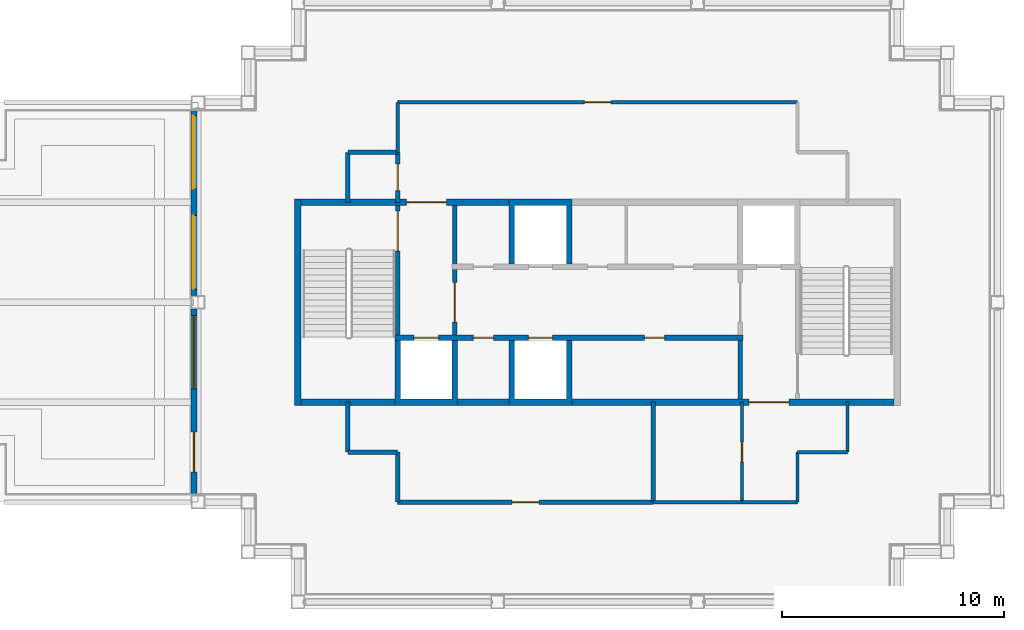
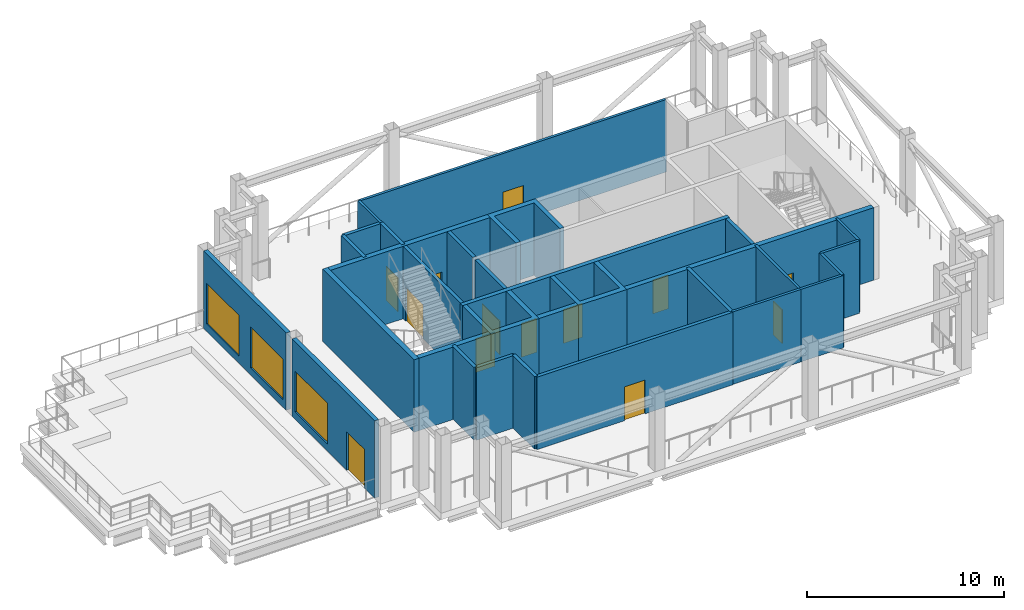
# One storey, part 2 of 9: 31 walls, 13 doors, 3 windows, 16 openings.
"""IFC4 building model written with IfcOpenShell, lengths in metres."""

from ifc_helpers import new_model, si_unit, direction, frame, frame_2d, origin, place, context, subcontext, project, spatial, polyline, rectangle, outline, extrude, material, layer, layer_set, type_object, element, fill, save


model = new_model("IFC4")

# Units and contexts
model_context = context("Model", 3, precision=1e-05, world=origin(), true_north=direction((0.0, 1.0)))
body_context = subcontext(model_context, "Body", "Model", "MODEL_VIEW")
ifc_project = project(units=[si_unit("LENGTHUNIT", "METRE"), si_unit("AREAUNIT", "SQUARE_METRE"), si_unit("VOLUMEUNIT", "CUBIC_METRE"), si_unit("PLANEANGLEUNIT", "RADIAN"), si_unit("MASSUNIT", "GRAM", prefix="KILO")], contexts=[model_context])

# Site, building, storey
site_placement = place(None, origin())
site = spatial("IfcSite", under=ifc_project, at=site_placement, CompositionType="ELEMENT")
building_placement = place(site_placement, origin())
building = spatial("IfcBuilding", under=site, at=building_placement, Name="Caravel Reach Hotel and Residences", CompositionType="ELEMENT")
storey_placement = place(building_placement, frame((0.0, 0.0, 278.60009765625)))
storey = spatial("IfcBuildingStorey", under=building, at=storey_placement, Name="L71", CompositionType="ELEMENT", Elevation=278.60009765625)

# Walls
ifc_material_1 = material(Name="Autoclaved aerated block wall")
ifc_layer_1 = layer(ifc_material_1, 0.199951171875)
ifc_layer_set_1 = layer_set([ifc_layer_1], Name="Compartment wall 200 mm EI 120")
wall_type_1 = type_object("IfcWallType", Name="Compartment wall 200 mm EI 120", PredefinedType="PARTITIONING", material=ifc_layer_set_1)
for number, where, z_axis, x_axis, name in (
    (1, (37.928466796875, 22.64990234375, 0.0), (0.0, 0.0, 1.0), (0.0, 1.0, 0.0), "L71 store partition"),
    (2, (25.071533203125, 28.72509765625, 0.0), (0.0, 0.0, 1.0), (0.0, 1.0, 0.0), "L71 store partition"),
):
    element("IfcWall", number, at=place(storey_placement, frame(where, z_axis=z_axis, x_axis=x_axis)), inside=storey, type_object=wall_type_1, Name=name, PredefinedType="PARTITIONING", context=body_context, shape_type="SweptSolid", body=[
        extrude(rectangle(XDim=2.625, YDim=0.199951171875, at=frame_2d((1.3125, 0.0))), origin(), (0.0, 0.0, 1.0), 4.5),
    ])

# Wall, opening, door
wall_1_placement = place(storey_placement, frame((22.5, 18.0, 0.0), z_axis=(0.0, 0.0, 1.0), x_axis=(1.0, 0.0, 0.0)))
wall_1 = element("IfcWall", 3, at=wall_1_placement, inside=storey, type_object=wall_type_1, Name="L71 wall w012", PredefinedType="PARTITIONING", context=body_context, shape_type="SweptSolid", body=[
    extrude(rectangle(XDim=11.5, YDim=0.199951171875, at=frame_2d((5.75, 0.0))), origin(), (0.0, 0.0, 1.0), 4.5),
])
opening_1_placement = place(wall_1_placement, frame((5.14990234375, 0.0, 0.0)))
opening_1 = element("IfcOpeningElement", 4, at=opening_1_placement, cuts=wall_1, Name="Opening D71-016", PredefinedType="OPENING", context=body_context, shape_type="SweptSolid", body=[
    extrude(rectangle(XDim=1.199951171875, YDim=2.10009765625, at=frame_2d((0.60009765625, 1.050048828125))), frame((0.0, 0.10986328125, 0.0), z_axis=(0.0, -1.0, 0.0), x_axis=(1.0, 0.0, 0.0)), (0.0, 0.0, 1.0), 0.219970703125),
])
ifc_material_2 = material(Name="Steel fire door leaf", Category="steel")
door_type_1 = type_object("IfcDoorType", Name="Plant room door 1200 x 2100 EI 60", OperationType="SINGLE_SWING_LEFT", PredefinedType="DOOR", material=ifc_material_2)
door_1_placement = place(opening_1_placement, origin())
door_1 = element("IfcDoor", 5, at=door_1_placement, inside=storey, type_object=door_type_1, Name="door D71-016", OperationType="SINGLE_SWING_LEFT", OverallHeight=2.10009765625, OverallWidth=1.199951171875, PredefinedType="DOOR", context=body_context, shape_type="SweptSolid", body=[
    extrude(rectangle(XDim=1.199951171875, YDim=2.10009765625, at=frame_2d((0.60009765625, 1.050048828125))), frame((0.0, 0.02490234375, 0.0), z_axis=(0.0, -1.0, 0.0), x_axis=(1.0, 0.0, 0.0)), (0.0, 0.0, 1.0), 0.050048828125),
])
fill(opening_1, door_1)

# Walls
for number, where, z_axis, x_axis, name in (
    (6, (20.25, 20.25, 0.0), (0.0, 0.0, 1.0), (1.0, 0.0, 0.0), "L71 wall w013"),
    (7, (20.25, 33.75, 0.0), (0.0, 0.0, 1.0), (1.0, 0.0, 0.0), "L71 wall w014"),
    (8, (20.25, 20.25, 0.0), (0.0, 0.0, 1.0), (0.0, 1.0, 0.0), "L71 wall w015"),
    (9, (20.25, 31.5, 0.0), (0.0, 0.0, 1.0), (0.0, 1.0, 0.0), "L71 wall w016"),
    (10, (22.5, 18.0, 0.0), (0.0, 0.0, 1.0), (0.0, 1.0, 0.0), "L71 wall w017"),
):
    element("IfcWall", number, at=place(storey_placement, frame(where, z_axis=z_axis, x_axis=x_axis)), inside=storey, type_object=wall_type_1, Name=name, PredefinedType="PARTITIONING", context=body_context, shape_type="SweptSolid", body=[
        extrude(rectangle(XDim=2.25, YDim=0.199951171875, at=frame_2d((1.125, 0.0))), origin(), (0.0, 0.0, 1.0), 4.5),
    ])

# Wall, opening, door
wall_2_placement = place(storey_placement, frame((22.5, 31.5, 0.0), z_axis=(0.0, 0.0, 1.0), x_axis=(0.0, 1.0, 0.0)))
wall_2 = element("IfcWall", 11, at=wall_2_placement, inside=storey, type_object=wall_type_1, Name="L71 wall w018", PredefinedType="PARTITIONING", context=body_context, shape_type="SweptSolid", body=[
    extrude(rectangle(XDim=2.25, YDim=0.199951171875, at=frame_2d((1.125, 0.0))), origin(), (0.0, 0.0, 1.0), 4.5),
])
opening_2_placement = place(wall_2_placement, frame((0.52490234375, 0.0, 0.0)))
opening_2 = element("IfcOpeningElement", 12, at=opening_2_placement, cuts=wall_2, Name="Opening D71-017", PredefinedType="OPENING", context=body_context, shape_type="SweptSolid", body=[
    extrude(rectangle(XDim=1.199951171875, YDim=2.10009765625, at=frame_2d((0.60009765625, 1.050048828125))), frame((0.0, 0.10986328125, 0.0), z_axis=(0.0, -1.0, 0.0), x_axis=(1.0, 0.0, 0.0)), (0.0, 0.0, 1.0), 0.219970703125),
])
door_2_placement = place(opening_2_placement, origin())
door_2 = element("IfcDoor", 13, at=door_2_placement, inside=storey, type_object=door_type_1, Name="door D71-017", OperationType="SINGLE_SWING_RIGHT", OverallHeight=2.10009765625, OverallWidth=1.199951171875, PredefinedType="DOOR", context=body_context, shape_type="SweptSolid", body=[
    extrude(rectangle(XDim=1.199951171875, YDim=2.10009765625, at=frame_2d((0.60009765625, 1.050048828125))), frame((0.0, 0.02490234375, 0.0), z_axis=(0.0, -1.0, 0.0), x_axis=(1.0, 0.0, 0.0)), (0.0, 0.0, 1.0), 0.050048828125),
])
fill(opening_2, door_2)

# Walls
wall_3_placement = place(storey_placement, frame((34.0, 18.0, 0.0), z_axis=(0.0, 0.0, 1.0), x_axis=(0.0, 1.0, 0.0)))
element("IfcWall", 14, at=wall_3_placement, inside=storey, type_object=wall_type_1, Name="L71 wall w019", PredefinedType="PARTITIONING", context=body_context, shape_type="SweptSolid", body=[
    extrude(rectangle(XDim=4.5, YDim=0.199951171875, at=frame_2d((2.25, 0.0))), origin(), (0.0, 0.0, 1.0), 4.5),
])
ifc_material_3 = material(Name="Concrete C60", Category="concrete")
ifc_layer_2 = layer(ifc_material_3, 0.300048828125)
ifc_layer_set_2 = layer_set([ifc_layer_2], Name="Core wall 300 mm EI 120")
wall_type_2 = type_object("IfcWallType", Name="Core wall 300 mm EI 120", PredefinedType="SHEAR", material=ifc_layer_set_2)
wall_4_placement = place(storey_placement, frame((18.14990234375, 22.5, 0.0), z_axis=(0.0, 0.0, 1.0), x_axis=(1.0, 0.0, 0.0)))
element("IfcWall", 15, at=wall_4_placement, inside=storey, type_object=wall_type_2, Name="L71 core wall S1", PredefinedType="SHEAR", context=body_context, shape_type="SweptSolid", body=[
    extrude(rectangle(XDim=4.22509765625, YDim=0.300048828125, at=frame_2d((2.112548828125, 0.0))), origin(), (0.0, 0.0, 1.0), 4.5),
])
wall_5_placement = place(storey_placement, frame((25.196533203125, 22.5, 0.0), z_axis=(0.0, 0.0, 1.0), x_axis=(1.0, 0.0, 0.0)))
element("IfcWall", 16, at=wall_5_placement, inside=storey, type_object=wall_type_2, Name="L71 core wall S2", PredefinedType="SHEAR", context=body_context, shape_type="SweptSolid", body=[
    extrude(rectangle(XDim=2.3212890625, YDim=0.300048828125, at=frame_2d((1.16064453125, 0.0))), origin(), (0.0, 0.0, 1.0), 4.5),
])

# Wall, opening, door
wall_6_placement = place(storey_placement, frame((30.33935546875, 22.5, 0.0), z_axis=(0.0, 0.0, 1.0), x_axis=(1.0, 0.0, 0.0)))
wall_6 = element("IfcWall", 17, at=wall_6_placement, inside=storey, type_object=wall_type_2, Name="L71 core wall S3", PredefinedType="SHEAR", context=body_context, shape_type="SweptSolid", body=[
    extrude(rectangle(XDim=14.5107421875, YDim=0.300048828125, at=frame_2d((7.25537109375, 0.0))), origin(), (0.0, 0.0, 1.0), 4.5),
])
opening_3_placement = place(wall_6_placement, frame((7.97509765625, 0.0, 0.0)))
opening_3 = element("IfcOpeningElement", 18, at=opening_3_placement, cuts=wall_6, Name="Opening D71-015", PredefinedType="OPENING", context=body_context, shape_type="SweptSolid", body=[
    extrude(rectangle(XDim=1.800048828125, YDim=2.10009765625, at=frame_2d((0.89990234375, 1.050048828125))), frame((0.0, 0.159912109375, 0.0), z_axis=(0.0, -1.0, 0.0), x_axis=(1.0, 0.0, 0.0)), (0.0, 0.0, 1.0), 0.320068359375),
])
ifc_material_4 = material(Name="Steel fire door leaf", Category="steel")
door_type_2 = type_object("IfcDoorType", Name="Fire lobby door pair 1800 x 2100 EI 90", OperationType="DOUBLE_DOOR_SINGLE_SWING", PredefinedType="DOOR", material=ifc_material_4)
door_3_placement = place(opening_3_placement, origin())
door_3 = element("IfcDoor", 19, at=door_3_placement, inside=storey, type_object=door_type_2, Name="lobby S door pair to corridor", OperationType="DOUBLE_DOOR_SINGLE_SWING", OverallHeight=2.10009765625, OverallWidth=1.800048828125, PredefinedType="DOOR", context=body_context, shape_type="SweptSolid", body=[
    extrude(rectangle(XDim=1.800048828125, YDim=2.10009765625, at=frame_2d((0.89990234375, 1.050048828125))), frame((0.0, 0.02490234375, 0.0), z_axis=(0.0, -1.0, 0.0), x_axis=(1.0, 0.0, 0.0)), (0.0, 0.0, 1.0), 0.050048828125),
])
fill(opening_3, door_3)

wall_7_placement = place(storey_placement, frame((18.14990234375, 31.5, 0.0), z_axis=(0.0, 0.0, 1.0), x_axis=(1.0, 0.0, 0.0)))
wall_7 = element("IfcWall", 20, at=wall_7_placement, inside=storey, type_object=wall_type_2, Name="L71 core wall N1", PredefinedType="SHEAR", context=body_context, shape_type="SweptSolid", body=[
    extrude(rectangle(XDim=9.367919921875, YDim=0.300048828125, at=frame_2d((4.68408203125, 0.0))), origin(), (0.0, 0.0, 1.0), 4.5),
])
opening_4_placement = place(wall_7_placement, frame((4.735595703125, 0.0, 0.0)))
opening_4 = element("IfcOpeningElement", 21, at=opening_4_placement, cuts=wall_7, Name="Opening D71-014", PredefinedType="OPENING", context=body_context, shape_type="SweptSolid", body=[
    extrude(rectangle(XDim=1.800048828125, YDim=2.10009765625, at=frame_2d((0.89990234375, 1.050048828125))), frame((0.0, 0.159912109375, 0.0), z_axis=(0.0, -1.0, 0.0), x_axis=(1.0, 0.0, 0.0)), (0.0, 0.0, 1.0), 0.320068359375),
])
door_4_placement = place(opening_4_placement, origin())
door_4 = element("IfcDoor", 22, at=door_4_placement, inside=storey, type_object=door_type_2, Name="lobby N door pair to corridor", OperationType="DOUBLE_DOOR_SINGLE_SWING", OverallHeight=2.10009765625, OverallWidth=1.800048828125, PredefinedType="DOOR", context=body_context, shape_type="SweptSolid", body=[
    extrude(rectangle(XDim=1.800048828125, YDim=2.10009765625, at=frame_2d((0.89990234375, 1.050048828125))), frame((0.0, 0.02490234375, 0.0), z_axis=(0.0, -1.0, 0.0), x_axis=(1.0, 0.0, 0.0)), (0.0, 0.0, 1.0), 0.050048828125),
])
fill(opening_4, door_4)

# Walls
wall_8_placement = place(storey_placement, frame((18.0, 22.35009765625, 0.0), z_axis=(0.0, 0.0, 1.0), x_axis=(0.0, 1.0, 0.0)))
element("IfcWall", 23, at=wall_8_placement, inside=storey, type_object=wall_type_2, Name="L71 core wall W", PredefinedType="SHEAR", context=body_context, shape_type="SweptSolid", body=[
    extrude(rectangle(XDim=9.2998046875, YDim=0.300048828125, at=frame_2d((4.64990234375, 0.0))), origin(), (0.0, 0.0, 1.0), 4.5),
])
ifc_material_5 = material(Name="Gypsum board on steel stud, fire-rated", Category="steel")
ifc_layer_3 = layer(ifc_material_5, 0.14990234375)
ifc_layer_set_3 = layer_set([ifc_layer_3], Name="Corridor wall 150 mm EI 60")
wall_type_3 = type_object("IfcWallType", Name="Corridor wall 150 mm EI 60", PredefinedType="PARTITIONING", material=ifc_layer_set_3)
wall_9_placement = place(storey_placement, frame((38.0, 18.0, 0.0), z_axis=(0.0, 0.0, 1.0), x_axis=(1.0, 0.0, 0.0)))
element("IfcWall", 24, at=wall_9_placement, inside=storey, type_object=wall_type_3, Name="L71 wall w001", PredefinedType="PARTITIONING", context=body_context, shape_type="SweptSolid", body=[
    extrude(rectangle(XDim=2.5, YDim=0.14990234375, at=frame_2d((1.25, 0.0))), origin(), (0.0, 0.0, 1.0), 4.5),
])
wall_10_placement = place(storey_placement, frame((34.0, 18.0, 0.0), z_axis=(0.0, 0.0, 1.0), x_axis=(1.0, 0.0, 0.0)))
element("IfcWall", 25, at=wall_10_placement, inside=storey, type_object=wall_type_3, Name="L71 wall w002", PredefinedType="PARTITIONING", context=body_context, shape_type="SweptSolid", body=[
    extrude(rectangle(XDim=4.0, YDim=0.14990234375, at=frame_2d((2.0, 0.0))), origin(), (0.0, 0.0, 1.0), 4.5),
])
wall_11_placement = place(storey_placement, frame((40.5, 20.25, 0.0), z_axis=(0.0, 0.0, 1.0), x_axis=(1.0, 0.0, 0.0)))
element("IfcWall", 26, at=wall_11_placement, inside=storey, type_object=wall_type_3, Name="L71 wall w003", PredefinedType="PARTITIONING", context=body_context, shape_type="SweptSolid", body=[
    extrude(rectangle(XDim=2.25, YDim=0.14990234375, at=frame_2d((1.125, 0.0))), origin(), (0.0, 0.0, 1.0), 4.5),
])

# Wall, opening, door
wall_12_placement = place(storey_placement, frame((22.5, 36.0, 0.0), z_axis=(0.0, 0.0, 1.0), x_axis=(1.0, 0.0, 0.0)))
wall_12 = element("IfcWall", 27, at=wall_12_placement, inside=storey, type_object=wall_type_3, Name="L71 wall w005", PredefinedType="PARTITIONING", context=body_context, shape_type="SweptSolid", body=[
    extrude(rectangle(XDim=18.0, YDim=0.14990234375, at=frame_2d((9.0, 0.0))), origin(), (0.0, 0.0, 1.0), 4.5),
])
opening_5_placement = place(wall_12_placement, frame((8.39990234375, 0.0, 0.0)))
opening_5 = element("IfcOpeningElement", 28, at=opening_5_placement, cuts=wall_12, Name="Opening D71-019", PredefinedType="OPENING", context=body_context, shape_type="SweptSolid", body=[
    extrude(rectangle(XDim=1.199951171875, YDim=2.10009765625, at=frame_2d((0.60009765625, 1.050048828125))), frame((0.0, 0.0849609375, 0.0), z_axis=(0.0, -1.0, 0.0), x_axis=(1.0, 0.0, 0.0)), (0.0, 0.0, 1.0), 0.169921875),
])
ifc_material_6 = material(Name="Steel fire door leaf", Category="steel")
door_type_3 = type_object("IfcDoorType", Name="Refuge hall door 1200 x 2100 EI 60", OperationType="SINGLE_SWING_LEFT", PredefinedType="DOOR", material=ifc_material_6)
door_5_placement = place(opening_5_placement, origin())
door_5 = element("IfcDoor", 29, at=door_5_placement, inside=storey, type_object=door_type_3, Name="door D71-019", OperationType="SINGLE_SWING_LEFT", OverallHeight=2.10009765625, OverallWidth=1.199951171875, PredefinedType="DOOR", context=body_context, shape_type="SweptSolid", body=[
    extrude(rectangle(XDim=1.199951171875, YDim=2.10009765625, at=frame_2d((0.60009765625, 1.050048828125))), frame((0.0, 0.02490234375, 0.0), z_axis=(0.0, -1.0, 0.0), x_axis=(1.0, 0.0, 0.0)), (0.0, 0.0, 1.0), 0.050048828125),
])
fill(opening_5, door_5)

# Wall
wall_13_placement = place(storey_placement, frame((22.5, 33.75, 0.0), z_axis=(0.0, 0.0, 1.0), x_axis=(0.0, 1.0, 0.0)))
element("IfcWall", 30, at=wall_13_placement, inside=storey, type_object=wall_type_3, Name="L71 wall w006", PredefinedType="PARTITIONING", context=body_context, shape_type="SweptSolid", body=[
    extrude(rectangle(XDim=2.25, YDim=0.14990234375, at=frame_2d((1.125, 0.0))), origin(), (0.0, 0.0, 1.0), 4.5),
])

# Wall, opening, door
wall_14_placement = place(storey_placement, frame((38.0, 18.0, 0.0), z_axis=(0.0, 0.0, 1.0), x_axis=(0.0, 1.0, 0.0)))
wall_14 = element("IfcWall", 31, at=wall_14_placement, inside=storey, type_object=wall_type_3, Name="L71 wall w007", PredefinedType="PARTITIONING", context=body_context, shape_type="SweptSolid", body=[
    extrude(rectangle(XDim=4.5, YDim=0.14990234375, at=frame_2d((2.25, 0.0))), origin(), (0.0, 0.0, 1.0), 4.5),
])
opening_6_placement = place(wall_14_placement, frame((1.800048828125, 0.0, 0.0)))
opening_6 = element("IfcOpeningElement", 32, at=opening_6_placement, cuts=wall_14, Name="Opening D71-018", PredefinedType="OPENING", context=body_context, shape_type="SweptSolid", body=[
    extrude(rectangle(XDim=0.89990234375, YDim=2.10009765625, at=frame_2d((0.449951171875, 1.050048828125))), frame((0.0, 0.0849609375, 0.0), z_axis=(0.0, -1.0, 0.0), x_axis=(1.0, 0.0, 0.0)), (0.0, 0.0, 1.0), 0.169921875),
])
ifc_material_7 = material(Name="Timber and steel door leaf", Category="steel")
door_type_4 = type_object("IfcDoorType", Name="Door 900 x 2100 timber", OperationType="SINGLE_SWING_LEFT", PredefinedType="DOOR", material=ifc_material_7)
door_6_placement = place(opening_6_placement, origin())
door_6 = element("IfcDoor", 33, at=door_6_placement, inside=storey, type_object=door_type_4, Name="door D71-018", OperationType="SINGLE_SWING_RIGHT", OverallHeight=2.10009765625, OverallWidth=0.89990234375, PredefinedType="DOOR", context=body_context, shape_type="SweptSolid", body=[
    extrude(rectangle(XDim=0.89990234375, YDim=2.10009765625, at=frame_2d((0.449951171875, 1.050048828125))), frame((0.0, 0.02490234375, 0.0), z_axis=(0.0, -1.0, 0.0), x_axis=(1.0, 0.0, 0.0)), (0.0, 0.0, 1.0), 0.050048828125),
])
fill(opening_6, door_6)

# Walls
for number, where, z_axis, x_axis, name in (
    (34, (40.5, 18.0, 0.0), (0.0, 0.0, 1.0), (0.0, 1.0, 0.0), "L71 wall w009"),
    (35, (42.75, 20.25, 0.0), (0.0, 0.0, 1.0), (0.0, 1.0, 0.0), "L71 wall w011"),
):
    element("IfcWall", number, at=place(storey_placement, frame(where, z_axis=z_axis, x_axis=x_axis)), inside=storey, type_object=wall_type_3, Name=name, PredefinedType="PARTITIONING", context=body_context, shape_type="SweptSolid", body=[
        extrude(rectangle(XDim=2.25, YDim=0.14990234375, at=frame_2d((1.125, 0.0))), origin(), (0.0, 0.0, 1.0), 4.5),
    ])

# Wall, openings, windows
ifc_material_8 = material(Name="Insulated rainscreen wall, aluminium cladding", Category="aluminium")
ifc_layer_4 = layer(ifc_material_8, 0.25)
ifc_layer_set_4 = layer_set([ifc_layer_4], Name="EW1 Tower rainscreen wall")
wall_type_4 = type_object("IfcWallType", Name="EW1 Tower rainscreen wall", PredefinedType="SOLIDWALL", material=ifc_layer_set_4)
wall_15_placement = place(storey_placement, frame((13.324951171875, 35.699951171875, 0.0), z_axis=(0.0, 0.0, 1.0), x_axis=(0.0, -1.0, 0.0)))
wall_15 = element("IfcWall", 36, at=wall_15_placement, inside=storey, type_object=wall_type_4, Name="External wall L71 W15.1", PredefinedType="SOLIDWALL", context=body_context, shape_type="SweptSolid", body=[
    extrude(rectangle(XDim=8.39990234375, YDim=0.25, at=frame_2d((4.199951171875, 0.0))), origin(), (0.0, 0.0, 1.0), 4.7998046875),
])
opening_7_placement = place(wall_15_placement, frame((0.300048828125, 0.0, 0.449951171875)))
opening_7 = element("IfcOpeningElement", 37, at=opening_7_placement, cuts=wall_15, Name="Opening WN29", PredefinedType="OPENING", context=body_context, shape_type="SweptSolid", body=[
    extrude(rectangle(XDim=3.300048828125, YDim=2.530029296875, at=frame_2d((1.64990234375, 1.26513671875))), frame((0.0, 0.135009765625, 0.0), z_axis=(0.0, -1.0, 0.0), x_axis=(1.0, 0.0, 0.0)), (0.0, 0.0, 1.0), 0.27001953125),
])
opening_8_placement = place(wall_15_placement, frame((4.800048828125, 0.0, 0.449951171875)))
opening_8 = element("IfcOpeningElement", 38, at=opening_8_placement, cuts=wall_15, Name="Opening WN29", PredefinedType="OPENING", context=body_context, shape_type="SweptSolid", body=[
    extrude(rectangle(XDim=3.300048828125, YDim=2.530029296875, at=frame_2d((1.64990234375, 1.26513671875))), frame((0.0, 0.135009765625, 0.0), z_axis=(0.0, -1.0, 0.0), x_axis=(1.0, 0.0, 0.0)), (0.0, 0.0, 1.0), 0.27001953125),
])
ifc_material_9 = material(Name="Dark low-e glazing in black aluminium frame", Category="aluminium")
window_type = type_object("IfcWindowType", Name="Refuge lounge window 3300 x 2530", PartitioningType="SINGLE_PANEL", PredefinedType="WINDOW", material=ifc_material_9)
window_1_placement = place(opening_7_placement, origin())
window_1 = element("IfcWindow", 39, at=window_1_placement, inside=storey, type_object=window_type, Name="Window L71 W15.1.1", OverallHeight=2.530029296875, OverallWidth=3.300048828125, PartitioningType="SINGLE_PANEL", PredefinedType="WINDOW", context=body_context, shape_type="SweptSolid", body=[
    extrude(rectangle(XDim=3.300048828125, YDim=2.530029296875, at=frame_2d((1.64990234375, 1.26513671875))), frame((0.0, -0.02001953125, 0.0), z_axis=(0.0, -1.0, 0.0), x_axis=(1.0, 0.0, 0.0)), (0.0, 0.0, 1.0), 0.030029296875),
])
fill(opening_7, window_1)
window_2_placement = place(opening_8_placement, origin())
window_2 = element("IfcWindow", 40, at=window_2_placement, inside=storey, type_object=window_type, Name="Window L71 W15.1.2", OverallHeight=2.530029296875, OverallWidth=3.300048828125, PartitioningType="SINGLE_PANEL", PredefinedType="WINDOW", context=body_context, shape_type="SweptSolid", body=[
    extrude(rectangle(XDim=3.300048828125, YDim=2.530029296875, at=frame_2d((1.64990234375, 1.26513671875))), frame((0.0, -0.02001953125, 0.0), z_axis=(0.0, -1.0, 0.0), x_axis=(1.0, 0.0, 0.0)), (0.0, 0.0, 1.0), 0.030029296875),
])
fill(opening_8, window_2)

# Wall, openings, window, door
wall_16_placement = place(storey_placement, frame((13.324951171875, 26.699951171875, 0.0), z_axis=(0.0, 0.0, 1.0), x_axis=(0.0, -1.0, 0.0)))
wall_16 = element("IfcWall", 41, at=wall_16_placement, inside=storey, type_object=wall_type_4, Name="External wall L71 W15.2", PredefinedType="SOLIDWALL", context=body_context, shape_type="SweptSolid", body=[
    extrude(rectangle(XDim=8.39990234375, YDim=0.25, at=frame_2d((4.199951171875, 0.0))), origin(), (0.0, 0.0, 1.0), 4.7998046875),
])
opening_9_placement = place(wall_16_placement, frame((0.300048828125, 0.0, 0.449951171875)))
opening_9 = element("IfcOpeningElement", 42, at=opening_9_placement, cuts=wall_16, Name="Opening WN29", PredefinedType="OPENING", context=body_context, shape_type="SweptSolid", body=[
    extrude(rectangle(XDim=3.300048828125, YDim=2.530029296875, at=frame_2d((1.64990234375, 1.26513671875))), frame((0.0, 0.135009765625, 0.0), z_axis=(0.0, -1.0, 0.0), x_axis=(1.0, 0.0, 0.0)), (0.0, 0.0, 1.0), 0.27001953125),
])
opening_10_placement = place(wall_16_placement, frame((5.550048828125, 0.0, 0.0)))
opening_10 = element("IfcOpeningElement", 43, at=opening_10_placement, cuts=wall_16, Name="Opening D71-814", PredefinedType="OPENING", context=body_context, shape_type="SweptSolid", body=[
    extrude(rectangle(XDim=1.800048828125, YDim=2.39990234375, at=frame_2d((0.89990234375, 1.199951171875))), frame((0.0, 0.135009765625, 0.0), z_axis=(0.0, -1.0, 0.0), x_axis=(1.0, 0.0, 0.0)), (0.0, 0.0, 1.0), 0.27001953125),
])
window_3_placement = place(opening_9_placement, origin())
window_3 = element("IfcWindow", 44, at=window_3_placement, inside=storey, type_object=window_type, Name="Window L71 W15.2.1", OverallHeight=2.530029296875, OverallWidth=3.300048828125, PartitioningType="SINGLE_PANEL", PredefinedType="WINDOW", context=body_context, shape_type="SweptSolid", body=[
    extrude(rectangle(XDim=3.300048828125, YDim=2.530029296875, at=frame_2d((1.64990234375, 1.26513671875))), frame((0.0, 0.030029296875, 0.0), z_axis=(0.0, -1.0, 0.0), x_axis=(1.0, 0.0, 0.0)), (0.0, 0.0, 1.0), 0.06005859375),
])
fill(opening_9, window_3)
ifc_material_10 = material(Name="Dark glazed door in black aluminium frame", Category="aluminium")
door_type_5 = type_object("IfcDoorType", Name="Terrace door 1800 x 2400", OperationType="DOUBLE_DOOR_SINGLE_SWING", PredefinedType="DOOR", material=ifc_material_10)
door_7_placement = place(opening_10_placement, origin())
door_7 = element("IfcDoor", 45, at=door_7_placement, inside=storey, type_object=door_type_5, Name="Door D71-814", OperationType="DOUBLE_DOOR_SINGLE_SWING", OverallHeight=2.39990234375, OverallWidth=1.800048828125, PredefinedType="DOOR", context=body_context, shape_type="SweptSolid", body=[
    extrude(rectangle(XDim=1.800048828125, YDim=2.39990234375, at=frame_2d((0.89990234375, 1.199951171875))), frame((0.0, 0.02490234375, 0.0), z_axis=(0.0, -1.0, 0.0), x_axis=(1.0, 0.0, 0.0)), (0.0, 0.0, 1.0), 0.050048828125),
])
fill(opening_10, door_7)

# Wall, opening, door
ifc_material_11 = material(Name="Autoclaved aerated block wall")
ifc_layer_5 = layer(ifc_material_11, 0.199951171875)
ifc_layer_set_5 = layer_set([ifc_layer_5], Name="Fire lobby wall 200 mm EI 120")
wall_type_5 = type_object("IfcWallType", Name="Fire lobby wall 200 mm EI 120", PredefinedType="PARTITIONING", material=ifc_layer_set_5)
wall_17_placement = place(storey_placement, frame((25.071533203125, 25.52490234375, 0.0), z_axis=(0.0, 0.0, 1.0), x_axis=(0.0, 1.0, 0.0)))
wall_17 = element("IfcWall", 46, at=wall_17_placement, inside=storey, type_object=wall_type_5, Name="L71 lobby W wall", PredefinedType="PARTITIONING", context=body_context, shape_type="SweptSolid", body=[
    extrude(rectangle(XDim=2.9501953125, YDim=0.199951171875, at=frame_2d((1.47509765625, 0.0))), origin(), (0.0, 0.0, 1.0), 4.5),
])
opening_11_placement = place(wall_17_placement, frame((0.574951171875, 0.0, 0.0)))
opening_11 = element("IfcOpeningElement", 47, at=opening_11_placement, cuts=wall_17, Name="Opening D71-012", PredefinedType="OPENING", context=body_context, shape_type="SweptSolid", body=[
    extrude(rectangle(XDim=1.800048828125, YDim=2.10009765625, at=frame_2d((0.89990234375, 1.050048828125))), frame((0.0, 0.10986328125, 0.0), z_axis=(0.0, -1.0, 0.0), x_axis=(1.0, 0.0, 0.0)), (0.0, 0.0, 1.0), 0.219970703125),
])
door_8_placement = place(opening_11_placement, origin())
door_8 = element("IfcDoor", 48, at=door_8_placement, inside=storey, type_object=door_type_2, Name="lobby W door pair", OperationType="DOUBLE_DOOR_SINGLE_SWING", OverallHeight=2.10009765625, OverallWidth=1.800048828125, PredefinedType="DOOR", context=body_context, shape_type="SweptSolid", body=[
    extrude(rectangle(XDim=1.800048828125, YDim=2.10009765625, at=frame_2d((0.89990234375, 1.050048828125))), frame((0.0, 0.02490234375, 0.0), z_axis=(0.0, -1.0, 0.0), x_axis=(1.0, 0.0, 0.0)), (0.0, 0.0, 1.0), 0.050048828125),
])
fill(opening_11, door_8)

# Walls
ifc_material_12 = material(Name="Concrete C60", Category="concrete")
ifc_layer_6 = layer(ifc_material_12, 0.25)
ifc_layer_set_6 = layer_set([ifc_layer_6], Name="Shaft wall 250 mm EI 120")
wall_type_6 = type_object("IfcWallType", Name="Shaft wall 250 mm EI 120", PredefinedType="SHEAR", material=ifc_layer_set_6)
wall_18_placement = place(storey_placement, origin())
element("IfcWall", 49, at=wall_18_placement, inside=storey, type_object=wall_type_6, Name="L71 lift shaft wall S1", PredefinedType="SHEAR", context=body_context, shape_type="SweptSolid", body=[
    extrude(outline(polyline([(22.375, 22.35009765625), (25.196533203125, 22.35009765625), (25.196533203125, 25.27490234375), (24.946533203125, 25.27490234375), (24.946533203125, 22.64990234375), (22.625, 22.64990234375), (22.625, 25.27490234375), (22.375, 25.27490234375), (22.375, 22.35009765625)])), origin(), (0.0, 0.0, 1.0), 4.5),
])
wall_19_placement = place(storey_placement, origin())
element("IfcWall", 50, at=wall_19_placement, inside=storey, type_object=wall_type_6, Name="L71 lift shaft wall S2", PredefinedType="SHEAR", context=body_context, shape_type="SweptSolid", body=[
    extrude(outline(polyline([(27.517822265625, 22.35009765625), (30.33935546875, 22.35009765625), (30.33935546875, 25.27490234375), (30.08935546875, 25.27490234375), (30.08935546875, 22.64990234375), (27.767822265625, 22.64990234375), (27.767822265625, 25.27490234375), (27.517822265625, 25.27490234375), (27.517822265625, 22.35009765625)])), origin(), (0.0, 0.0, 1.0), 4.5),
])
wall_20_placement = place(storey_placement, origin())
element("IfcWall", 51, at=wall_20_placement, inside=storey, type_object=wall_type_6, Name="L71 lift shaft wall N1", PredefinedType="SHEAR", context=body_context, shape_type="SweptSolid", body=[
    extrude(outline(polyline([(27.517822265625, 28.72509765625), (27.767822265625, 28.72509765625), (27.767822265625, 31.35009765625), (30.08935546875, 31.35009765625), (30.08935546875, 28.72509765625), (30.33935546875, 28.72509765625), (30.33935546875, 31.64990234375), (27.517822265625, 31.64990234375), (27.517822265625, 28.72509765625)])), origin(), (0.0, 0.0, 1.0), 4.5),
])

# Wall, openings, doors
wall_21_placement = place(storey_placement, frame((22.375, 25.39990234375, 0.0), z_axis=(0.0, 0.0, 1.0), x_axis=(1.0, 0.0, 0.0)))
wall_21 = element("IfcWall", 52, at=wall_21_placement, inside=storey, type_object=wall_type_6, Name="L71 lobby wall S1", PredefinedType="SHEAR", context=body_context, shape_type="SweptSolid", body=[
    extrude(rectangle(XDim=15.678466796875, YDim=0.25, at=frame_2d((7.83935546875, 0.0))), origin(), (0.0, 0.0, 1.0), 4.5),
])
opening_12_placement = place(wall_21_placement, frame((6.003662109375, 0.0, 0.0)))
opening_12 = element("IfcOpeningElement", 53, at=opening_12_placement, cuts=wall_21, Name="Opening D71-001", PredefinedType="OPENING", context=body_context, shape_type="SweptSolid", body=[
    extrude(rectangle(XDim=1.10009765625, YDim=2.10009765625, at=frame_2d((0.550048828125, 1.050048828125))), frame((0.0, 0.135009765625, 0.0), z_axis=(0.0, -1.0, 0.0), x_axis=(1.0, 0.0, 0.0)), (0.0, 0.0, 1.0), 0.27001953125),
])
opening_13_placement = place(wall_21_placement, frame((0.860595703125, 0.0, 0.0)))
opening_13 = element("IfcOpeningElement", 54, at=opening_13_placement, cuts=wall_21, Name="Opening D71-003", PredefinedType="OPENING", context=body_context, shape_type="SweptSolid", body=[
    extrude(rectangle(XDim=1.10009765625, YDim=2.10009765625, at=frame_2d((0.550048828125, 1.050048828125))), frame((0.0, 0.135009765625, 0.0), z_axis=(0.0, -1.0, 0.0), x_axis=(1.0, 0.0, 0.0)), (0.0, 0.0, 1.0), 0.27001953125),
])
opening_14_placement = place(wall_21_placement, frame((3.531982421875, 0.0, 0.0)))
opening_14 = element("IfcOpeningElement", 55, at=opening_14_placement, cuts=wall_21, Name="Opening D71-005", PredefinedType="OPENING", context=body_context, shape_type="SweptSolid", body=[
    extrude(rectangle(XDim=0.89990234375, YDim=2.10009765625, at=frame_2d((0.449951171875, 1.050048828125))), frame((0.0, 0.135009765625, 0.0), z_axis=(0.0, -1.0, 0.0), x_axis=(1.0, 0.0, 0.0)), (0.0, 0.0, 1.0), 0.27001953125),
])
opening_15_placement = place(wall_21_placement, frame((11.246337890625, 0.0, 0.0)))
opening_15 = element("IfcOpeningElement", 56, at=opening_15_placement, cuts=wall_21, Name="Opening D71-006", PredefinedType="OPENING", context=body_context, shape_type="SweptSolid", body=[
    extrude(rectangle(XDim=0.89990234375, YDim=2.10009765625, at=frame_2d((0.449951171875, 1.050048828125))), frame((0.0, 0.135009765625, 0.0), z_axis=(0.0, -1.0, 0.0), x_axis=(1.0, 0.0, 0.0)), (0.0, 0.0, 1.0), 0.27001953125),
])
ifc_material_13 = material(Name="Stainless steel landing door", Category="steel")
door_type_6 = type_object("IfcDoorType", Name="Landing door LD 1100 x 2100 sliding", OperationType="DOUBLE_DOOR_SLIDING", PredefinedType="DOOR", material=ifc_material_13)
door_9_placement = place(opening_12_placement, origin())
door_9 = element("IfcDoor", 57, at=door_9_placement, inside=storey, type_object=door_type_6, Name="HP1 landing door", OperationType="DOUBLE_DOOR_SLIDING", OverallHeight=2.10009765625, OverallWidth=1.10009765625, PredefinedType="DOOR", context=body_context, shape_type="SweptSolid", body=[
    extrude(rectangle(XDim=1.10009765625, YDim=2.10009765625, at=frame_2d((0.550048828125, 1.050048828125))), frame((0.0, 0.02490234375, 0.0), z_axis=(0.0, -1.0, 0.0), x_axis=(1.0, 0.0, 0.0)), (0.0, 0.0, 1.0), 0.050048828125),
])
fill(opening_12, door_9)
door_10_placement = place(opening_13_placement, origin())
door_10 = element("IfcDoor", 58, at=door_10_placement, inside=storey, type_object=door_type_6, Name="FL1 landing door", OperationType="DOUBLE_DOOR_SLIDING", OverallHeight=2.10009765625, OverallWidth=1.10009765625, PredefinedType="DOOR", context=body_context, shape_type="SweptSolid", body=[
    extrude(rectangle(XDim=1.10009765625, YDim=2.10009765625, at=frame_2d((0.550048828125, 1.050048828125))), frame((0.0, 0.02490234375, 0.0), z_axis=(0.0, -1.0, 0.0), x_axis=(1.0, 0.0, 0.0)), (0.0, 0.0, 1.0), 0.050048828125),
])
fill(opening_13, door_10)
ifc_material_14 = material(Name="Steel fire door leaf", Category="steel")
door_type_7 = type_object("IfcDoorType", Name="Riser door 900 x 2100 EI 60", OperationType="SINGLE_SWING_LEFT", PredefinedType="DOOR", material=ifc_material_14)
door_11_placement = place(opening_14_placement, origin())
door_11 = element("IfcDoor", 59, at=door_11_placement, inside=storey, type_object=door_type_7, Name="Recycling store door", OperationType="SINGLE_SWING_LEFT", OverallHeight=2.10009765625, OverallWidth=0.89990234375, PredefinedType="DOOR", context=body_context, shape_type="SweptSolid", body=[
    extrude(rectangle(XDim=0.89990234375, YDim=2.10009765625, at=frame_2d((0.449951171875, 1.050048828125))), frame((0.0, 0.02490234375, 0.0), z_axis=(0.0, -1.0, 0.0), x_axis=(1.0, 0.0, 0.0)), (0.0, 0.0, 1.0), 0.050048828125),
])
fill(opening_14, door_11)
door_12_placement = place(opening_15_placement, origin())
door_12 = element("IfcDoor", 60, at=door_12_placement, inside=storey, type_object=door_type_7, Name="Residents' store door", OperationType="SINGLE_SWING_LEFT", OverallHeight=2.10009765625, OverallWidth=0.89990234375, PredefinedType="DOOR", context=body_context, shape_type="SweptSolid", body=[
    extrude(rectangle(XDim=0.89990234375, YDim=2.10009765625, at=frame_2d((0.449951171875, 1.050048828125))), frame((0.0, 0.02490234375, 0.0), z_axis=(0.0, -1.0, 0.0), x_axis=(1.0, 0.0, 0.0)), (0.0, 0.0, 1.0), 0.050048828125),
])
fill(opening_15, door_12)

# Wall, opening, door
ifc_material_15 = material(Name="Concrete C60", Category="concrete")
ifc_layer_7 = layer(ifc_material_15, 0.199951171875)
ifc_layer_set_7 = layer_set([ifc_layer_7], Name="Stair enclosure wall 200 mm EI 120")
wall_type_7 = type_object("IfcWallType", Name="Stair enclosure wall 200 mm EI 120", PredefinedType="SHEAR", material=ifc_layer_set_7)
wall_22_placement = place(storey_placement, frame((22.5, 31.35009765625, 0.0), z_axis=(0.0, 0.0, 1.0), x_axis=(0.0, -1.0, 0.0)))
wall_22 = element("IfcWall", 61, at=wall_22_placement, inside=storey, type_object=wall_type_7, Name="L71 stair A wall", PredefinedType="SHEAR", context=body_context, shape_type="SweptSolid", body=[
    extrude(rectangle(XDim=5.8251953125, YDim=0.199951171875, at=frame_2d((2.91259765625, 0.0))), origin(), (0.0, 0.0, 1.0), 4.5),
])
opening_16_placement = place(wall_22_placement, frame((0.25, 0.0, 0.0)))
opening_16 = element("IfcOpeningElement", 62, at=opening_16_placement, cuts=wall_22, Name="Opening D71-010", PredefinedType="OPENING", context=body_context, shape_type="SweptSolid", body=[
    extrude(rectangle(XDim=1.800048828125, YDim=2.10009765625, at=frame_2d((0.89990234375, 1.050048828125))), frame((0.0, 0.10986328125, 0.0), z_axis=(0.0, -1.0, 0.0), x_axis=(1.0, 0.0, 0.0)), (0.0, 0.0, 1.0), 0.219970703125),
])
ifc_material_16 = material(Name="Steel fire door leaf", Category="steel")
door_type_8 = type_object("IfcDoorType", Name="Stair door pair 1800 x 2100 EI 90", OperationType="DOUBLE_DOOR_SINGLE_SWING", PredefinedType="DOOR", material=ifc_material_16)
door_13_placement = place(opening_16_placement, origin())
door_13 = element("IfcDoor", 63, at=door_13_placement, inside=storey, type_object=door_type_8, Name="stair A door pair", OperationType="DOUBLE_DOOR_SINGLE_SWING", OverallHeight=2.10009765625, OverallWidth=1.800048828125, PredefinedType="DOOR", context=body_context, shape_type="SweptSolid", body=[
    extrude(rectangle(XDim=1.800048828125, YDim=2.10009765625, at=frame_2d((0.89990234375, 1.050048828125))), frame((0.0, 0.02490234375, 0.0), z_axis=(0.0, -1.0, 0.0), x_axis=(1.0, 0.0, 0.0)), (0.0, 0.0, 1.0), 0.050048828125),
])
fill(opening_16, door_13)

save(model, "model.ifc")
